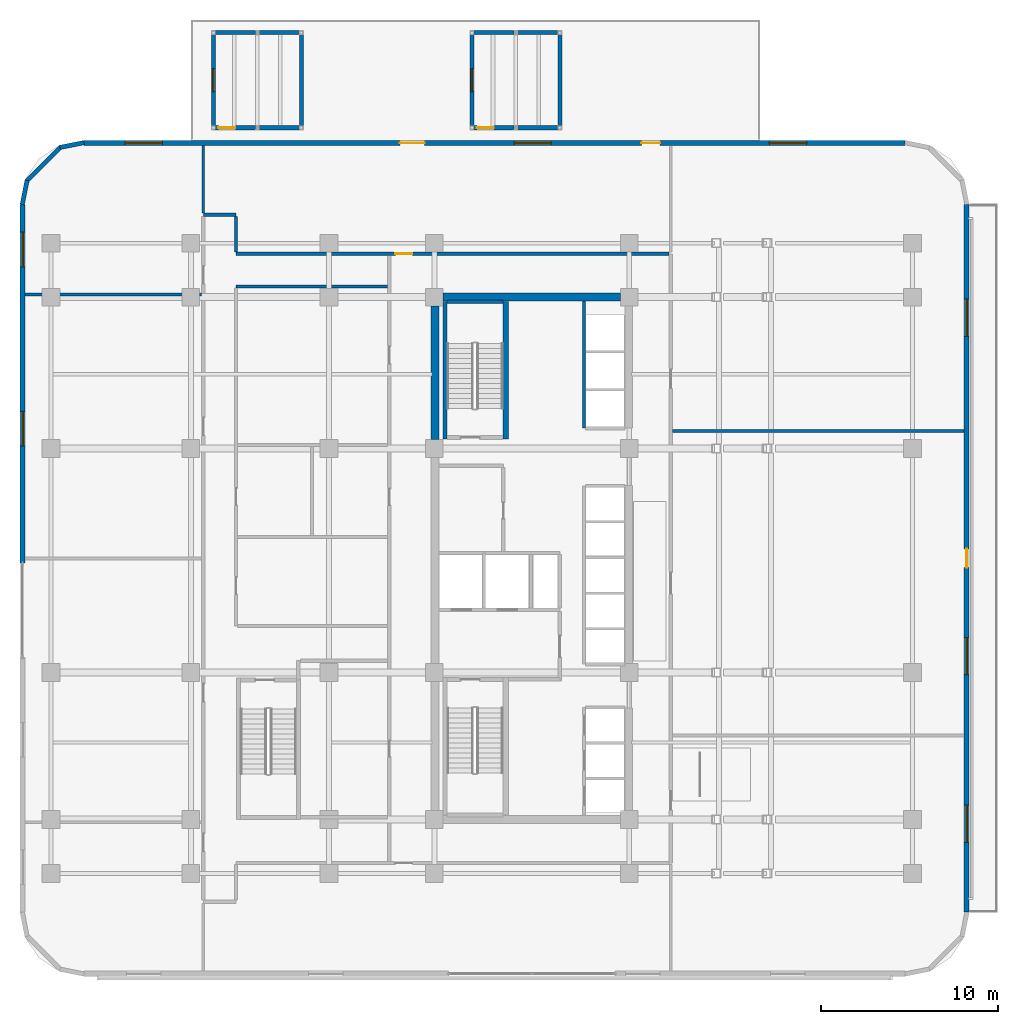
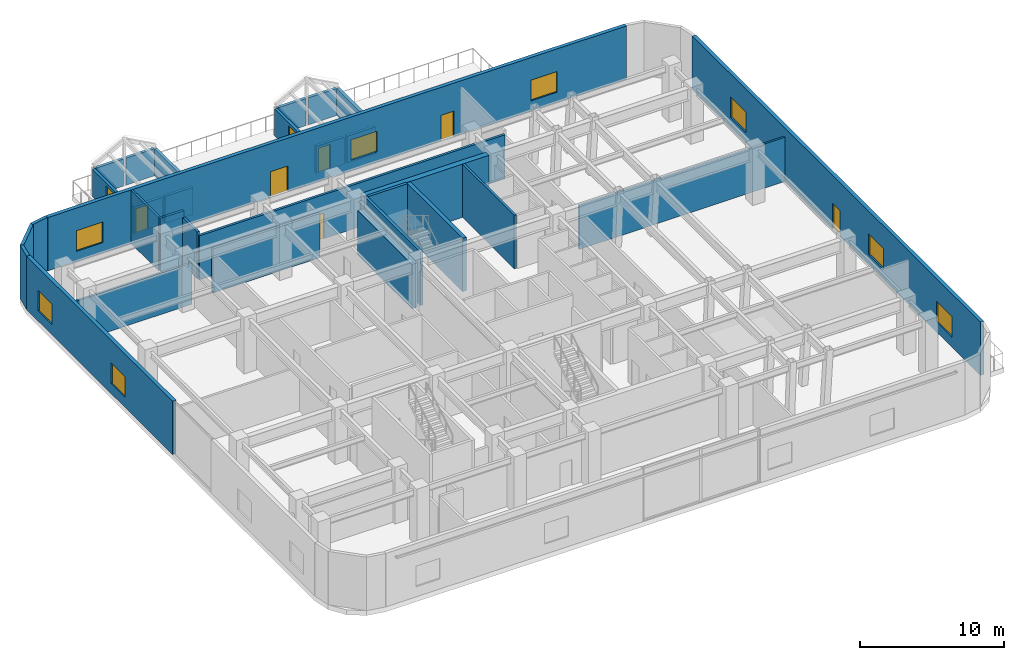
# One storey, part 10 of 18: 31 walls, 10 windows, 6 doors, 16 openings.
"""IFC4 building model written with IfcOpenShell, lengths in metres."""

from ifc_helpers import new_model, si_unit, direction, frame, frame_2d, origin, place, context, subcontext, project, spatial, rectangle, extrude, material, layer, layer_set, type_object, element, fill, save


model = new_model("IFC4")

# Units and contexts
model_context = context("Model", 3, precision=1e-05, world=origin(), true_north=direction((0.0, 1.0)))
body_context = subcontext(model_context, "Body", "Model", "MODEL_VIEW")
ifc_project = project(units=[si_unit("LENGTHUNIT", "METRE"), si_unit("AREAUNIT", "SQUARE_METRE"), si_unit("VOLUMEUNIT", "CUBIC_METRE"), si_unit("PLANEANGLEUNIT", "RADIAN"), si_unit("MASSUNIT", "GRAM", prefix="KILO")], contexts=[model_context])

# Site, building, storey
site_placement = place(None, origin())
site = spatial("IfcSite", under=ifc_project, at=site_placement, CompositionType="ELEMENT")
building_placement = place(site_placement, origin())
building = spatial("IfcBuilding", under=site, at=building_placement, Name="Ochreholt Gables", CompositionType="ELEMENT")
storey_placement = place(building_placement, frame((0.0, 0.0, 4.800048828125)))
storey = spatial("IfcBuildingStorey", under=building, at=storey_placement, Name="L01", CompositionType="ELEMENT", Elevation=4.800048828125)

# Walls
ifc_material_1 = material(Name="Concrete 60 MPa", Category="concrete")
ifc_layer_1 = layer(ifc_material_1, 0.449951171875, Name="Concrete 60 MPa")
ifc_layer_set_1 = layer_set([ifc_layer_1], Name="Concrete 60 MPa")
wall_type_1 = type_object("IfcWallType", Name="WALL-CSW-450", PredefinedType="SHEAR", material=ifc_layer_set_1)
wall_1_placement = place(storey_placement, frame((24.22509765625, 30.699951171875, 0.0), z_axis=(0.0, 0.0, 1.0), x_axis=(0.0, 1.0, 0.0)))
element("IfcWall", 1, at=wall_1_placement, inside=storey, type_object=wall_type_1, Name="L01 Core West Shear Wall WN", PredefinedType="SHEAR", context=body_context, shape_type="SweptSolid", body=[
    extrude(rectangle(XDim=7.550048828125, YDim=0.449951171875, at=frame_2d((3.77490234375, 0.0))), origin(), (0.0, 0.0, 1.0), 3.75),
])
wall_2_placement = place(storey_placement, frame((24.699951171875, 38.75, 0.0), z_axis=(0.0, 0.0, 1.0), x_axis=(1.0, 0.0, 0.0)))
element("IfcWall", 2, at=wall_2_placement, inside=storey, type_object=wall_type_1, Name="L01 Core North Shear Wall", PredefinedType="SHEAR", context=body_context, shape_type="SweptSolid", body=[
    extrude(rectangle(XDim=10.0, YDim=0.449951171875, at=frame_2d((5.0, 0.0))), origin(), (0.0, 0.0, 1.0), 4.52001953125),
])

# Wall, openings, door, windows
ifc_material_2 = material(Name="Precast concrete 40 MPa", Category="concrete")
ifc_layer_2 = layer(ifc_material_2, 0.2900390625, Name="Precast concrete 40 MPa")
ifc_layer_set_2 = layer_set([ifc_layer_2], Name="Precast concrete 40 MPa")
wall_type_2 = type_object("IfcWallType", Name="WALL-EXT-290", PredefinedType="SOLIDWALL", material=ifc_layer_set_2)
wall_3_placement = place(storey_placement, frame((54.2548828125, 4.02001953125, 0.0), z_axis=(0.0, 0.0, 1.0), x_axis=(0.0, 1.0, 0.0)))
wall_3 = element("IfcWall", 3, at=wall_3_placement, inside=storey, type_object=wall_type_2, Name="L01 East Exterior Wall", PredefinedType="SOLIDWALL", context=body_context, shape_type="SweptSolid", body=[
    extrude(rectangle(XDim=39.9599609375, YDim=0.2900390625, at=frame_2d((19.97998046875, 0.0))), origin(), (0.0, 0.0, 1.0), 4.52001953125),
])
opening_1_placement = place(wall_3_placement, frame((19.4599609375, 0.0, 0.0)))
opening_1 = element("IfcOpeningElement", 4, at=opening_1_placement, cuts=wall_3, Name="Opening D-TR1", PredefinedType="OPENING", context=body_context, shape_type="SweptSolid", body=[
    extrude(rectangle(XDim=1.050048828125, YDim=2.14990234375, at=frame_2d((0.52490234375, 1.074951171875))), frame((0.0, 0.155029296875, 0.0), z_axis=(0.0, -1.0, 0.0), x_axis=(1.0, 0.0, 0.0)), (0.0, 0.0, 1.0), 0.31005859375),
])
opening_2_placement = place(wall_3_placement, frame((3.93994140625, 0.0, 0.85009765625)))
opening_2 = element("IfcOpeningElement", 5, at=opening_2_placement, cuts=wall_3, Name="Opening WN-4", PredefinedType="OPENING", context=body_context, shape_type="SweptSolid", body=[
    extrude(rectangle(XDim=2.10009765625, YDim=1.75, at=frame_2d((1.050048828125, 0.875))), frame((0.0, 0.155029296875, 0.0), z_axis=(0.0, -1.0, 0.0), x_axis=(1.0, 0.0, 0.0)), (0.0, 0.0, 1.0), 0.31005859375),
])
opening_3_placement = place(wall_3_placement, frame((13.409912109375, 0.0, 0.85009765625)))
opening_3 = element("IfcOpeningElement", 6, at=opening_3_placement, cuts=wall_3, Name="Opening WN-4", PredefinedType="OPENING", context=body_context, shape_type="SweptSolid", body=[
    extrude(rectangle(XDim=2.10009765625, YDim=1.75, at=frame_2d((1.050048828125, 0.875))), frame((0.0, 0.155029296875, 0.0), z_axis=(0.0, -1.0, 0.0), x_axis=(1.0, 0.0, 0.0)), (0.0, 0.0, 1.0), 0.31005859375),
])
opening_4_placement = place(wall_3_placement, frame((32.52001953125, 0.0, 0.85009765625)))
opening_4 = element("IfcOpeningElement", 7, at=opening_4_placement, cuts=wall_3, Name="Opening WN-4", PredefinedType="OPENING", context=body_context, shape_type="SweptSolid", body=[
    extrude(rectangle(XDim=2.10009765625, YDim=1.75, at=frame_2d((1.050048828125, 0.875))), frame((0.0, 0.155029296875, 0.0), z_axis=(0.0, -1.0, 0.0), x_axis=(1.0, 0.0, 0.0)), (0.0, 0.0, 1.0), 0.31005859375),
])
ifc_material_3 = material(Name="Thermally Broken Insulated Steel and Glass Door", Category="steel")
door_type_1 = type_object("IfcDoorType", Name="DR-EXT-TER1050", OperationType="NOTDEFINED", PredefinedType="DOOR", material=ifc_material_3)
door_1_placement = place(opening_1_placement, origin())
door_1 = element("IfcDoor", 8, at=door_1_placement, inside=storey, type_object=door_type_1, Name="L01 Outdoor Terrace Access Door TR-L01-E", OperationType="SINGLE_SWING_RIGHT", OverallHeight=2.14990234375, OverallWidth=1.050048828125, PredefinedType="DOOR", context=body_context, shape_type="SweptSolid", body=[
    extrude(rectangle(XDim=1.050048828125, YDim=2.14990234375, at=frame_2d((0.52490234375, 1.074951171875))), frame((0.0, 0.02490234375, 0.0), z_axis=(0.0, -1.0, 0.0), x_axis=(1.0, 0.0, 0.0)), (0.0, 0.0, 1.0), 0.050048828125),
])
fill(opening_1, door_1)
ifc_material_4 = material(Name="Triple-Glazed Thermally Broken Aluminium Window", Category="aluminium")
window_type_1 = type_object("IfcWindowType", Name="WIN-CLN-2100", PartitioningType="SINGLE_PANEL", PredefinedType="WINDOW", material=ifc_material_4)
window_1_placement = place(opening_2_placement, origin())
window_1 = element("IfcWindow", 9, at=window_1_placement, inside=storey, type_object=window_type_1, Name="L01 Window W-EXT-E-L01-1", OverallHeight=1.75, OverallWidth=2.10009765625, PartitioningType="SINGLE_PANEL", PredefinedType="WINDOW", context=body_context, shape_type="SweptSolid", body=[
    extrude(rectangle(XDim=2.10009765625, YDim=1.75, at=frame_2d((1.050048828125, 0.875))), frame((0.0, 0.030029296875, 0.0), z_axis=(0.0, -1.0, 0.0), x_axis=(1.0, 0.0, 0.0)), (0.0, 0.0, 1.0), 0.06005859375),
])
fill(opening_2, window_1)
window_2_placement = place(opening_3_placement, origin())
window_2 = element("IfcWindow", 10, at=window_2_placement, inside=storey, type_object=window_type_1, Name="L01 Window W-EXT-E-L01-2", OverallHeight=1.75, OverallWidth=2.10009765625, PartitioningType="SINGLE_PANEL", PredefinedType="WINDOW", context=body_context, shape_type="SweptSolid", body=[
    extrude(rectangle(XDim=2.10009765625, YDim=1.75, at=frame_2d((1.050048828125, 0.875))), frame((0.0, 0.030029296875, 0.0), z_axis=(0.0, -1.0, 0.0), x_axis=(1.0, 0.0, 0.0)), (0.0, 0.0, 1.0), 0.06005859375),
])
fill(opening_3, window_2)
window_3_placement = place(opening_4_placement, origin())
window_3 = element("IfcWindow", 11, at=window_3_placement, inside=storey, type_object=window_type_1, Name="L01 Window W-EXT-E-L01-3", OverallHeight=1.75, OverallWidth=2.10009765625, PartitioningType="SINGLE_PANEL", PredefinedType="WINDOW", context=body_context, shape_type="SweptSolid", body=[
    extrude(rectangle(XDim=2.10009765625, YDim=1.75, at=frame_2d((1.050048828125, 0.875))), frame((0.0, 0.030029296875, 0.0), z_axis=(0.0, -1.0, 0.0), x_axis=(1.0, 0.0, 0.0)), (0.0, 0.0, 1.0), 0.06005859375),
])
fill(opening_4, window_3)

# Wall, openings, doors, windows
wall_4_placement = place(storey_placement, frame((50.780029296875, 47.455078125, 0.0), z_axis=(0.0, 0.0, 1.0), x_axis=(-1.0, 0.0, 0.0)))
wall_4 = element("IfcWall", 12, at=wall_4_placement, inside=storey, type_object=wall_type_2, Name="L01 North Exterior Wall", PredefinedType="SOLIDWALL", context=body_context, shape_type="SweptSolid", body=[
    extrude(rectangle(XDim=46.360107421875, YDim=0.2900390625, at=frame_2d((23.18017578125, 0.0))), origin(), (0.0, 0.0, 1.0), 4.52001953125),
])
opening_5_placement = place(wall_4_placement, frame((13.8349609375, 0.0, 0.0)))
opening_5 = element("IfcOpeningElement", 13, at=opening_5_placement, cuts=wall_4, Name="Opening D-TR1", PredefinedType="OPENING", context=body_context, shape_type="SweptSolid", body=[
    extrude(rectangle(XDim=1.050048828125, YDim=2.14990234375, at=frame_2d((0.52490234375, 1.074951171875))), frame((0.0, 0.155029296875, 0.0), z_axis=(0.0, -1.0, 0.0), x_axis=(1.0, 0.0, 0.0)), (0.0, 0.0, 1.0), 0.31005859375),
])
opening_6_placement = place(wall_4_placement, frame((27.1298828125, 0.0, 0.0)))
opening_6 = element("IfcOpeningElement", 14, at=opening_6_placement, cuts=wall_4, Name="Opening GT-3", PredefinedType="OPENING", context=body_context, shape_type="SweptSolid", body=[
    extrude(rectangle(XDim=1.39990234375, YDim=2.14990234375, at=frame_2d((0.699951171875, 1.074951171875))), frame((0.0, 0.155029296875, 0.0), z_axis=(0.0, -1.0, 0.0), x_axis=(1.0, 0.0, 0.0)), (0.0, 0.0, 1.0), 0.31005859375),
])
opening_7_placement = place(wall_4_placement, frame((41.945068359375, 0.0, 0.85009765625)))
opening_7 = element("IfcOpeningElement", 15, at=opening_7_placement, cuts=wall_4, Name="Opening WN-4", PredefinedType="OPENING", context=body_context, shape_type="SweptSolid", body=[
    extrude(rectangle(XDim=2.10009765625, YDim=1.75, at=frame_2d((1.050048828125, 0.875))), frame((0.0, 0.155029296875, 0.0), z_axis=(0.0, -1.0, 0.0), x_axis=(1.0, 0.0, 0.0)), (0.0, 0.0, 1.0), 0.31005859375),
])
opening_8_placement = place(wall_4_placement, frame((19.982421875, 0.0, 0.85009765625)))
opening_8 = element("IfcOpeningElement", 16, at=opening_8_placement, cuts=wall_4, Name="Opening WN-4", PredefinedType="OPENING", context=body_context, shape_type="SweptSolid", body=[
    extrude(rectangle(XDim=2.10009765625, YDim=1.75, at=frame_2d((1.050048828125, 0.875))), frame((0.0, 0.155029296875, 0.0), z_axis=(0.0, -1.0, 0.0), x_axis=(1.0, 0.0, 0.0)), (0.0, 0.0, 1.0), 0.31005859375),
])
opening_9_placement = place(wall_4_placement, frame((5.56494140625, 0.0, 0.85009765625)))
opening_9 = element("IfcOpeningElement", 17, at=opening_9_placement, cuts=wall_4, Name="Opening WN-4", PredefinedType="OPENING", context=body_context, shape_type="SweptSolid", body=[
    extrude(rectangle(XDim=2.10009765625, YDim=1.75, at=frame_2d((1.050048828125, 0.875))), frame((0.0, 0.155029296875, 0.0), z_axis=(0.0, -1.0, 0.0), x_axis=(1.0, 0.0, 0.0)), (0.0, 0.0, 1.0), 0.31005859375),
])
door_2_placement = place(opening_5_placement, origin())
door_2 = element("IfcDoor", 18, at=door_2_placement, inside=storey, type_object=door_type_1, Name="L01 Outdoor Terrace Access Door TR-L01-N", OperationType="SINGLE_SWING_LEFT", OverallHeight=2.14990234375, OverallWidth=1.050048828125, PredefinedType="DOOR", context=body_context, shape_type="SweptSolid", body=[
    extrude(rectangle(XDim=1.050048828125, YDim=2.14990234375, at=frame_2d((0.52490234375, 1.074951171875))), frame((0.0, 0.02490234375, 0.0), z_axis=(0.0, -1.0, 0.0), x_axis=(1.0, 0.0, 0.0)), (0.0, 0.0, 1.0), 0.050048828125),
])
fill(opening_5, door_2)
door_type_2 = type_object("IfcDoorType", Name="GT-EXT-TER1400", OperationType="NOTDEFINED", PredefinedType="GATE", material=ifc_material_3)
door_3_placement = place(opening_6_placement, origin())
door_3 = element("IfcDoor", 19, at=door_3_placement, inside=storey, type_object=door_type_2, Name="L01 Garden Terrace Service Gate TR-L01-N", OperationType="SINGLE_SWING_LEFT", OverallHeight=2.14990234375, OverallWidth=1.39990234375, PredefinedType="GATE", context=body_context, shape_type="SweptSolid", body=[
    extrude(rectangle(XDim=1.39990234375, YDim=2.14990234375, at=frame_2d((0.699951171875, 1.074951171875))), frame((0.0, 0.02490234375, 0.0), z_axis=(0.0, -1.0, 0.0), x_axis=(1.0, 0.0, 0.0)), (0.0, 0.0, 1.0), 0.050048828125),
])
fill(opening_6, door_3)
window_4_placement = place(opening_7_placement, origin())
window_4 = element("IfcWindow", 20, at=window_4_placement, inside=storey, type_object=window_type_1, Name="L01 Window W-EXT-N-L01-1", OverallHeight=1.75, OverallWidth=2.10009765625, PartitioningType="SINGLE_PANEL", PredefinedType="WINDOW", context=body_context, shape_type="SweptSolid", body=[
    extrude(rectangle(XDim=2.10009765625, YDim=1.75, at=frame_2d((1.050048828125, 0.875))), frame((0.0, 0.030029296875, 0.0), z_axis=(0.0, -1.0, 0.0), x_axis=(1.0, 0.0, 0.0)), (0.0, 0.0, 1.0), 0.06005859375),
])
fill(opening_7, window_4)
window_5_placement = place(opening_8_placement, origin())
window_5 = element("IfcWindow", 21, at=window_5_placement, inside=storey, type_object=window_type_1, Name="L01 Window W-EXT-N-L01-2", OverallHeight=1.75, OverallWidth=2.10009765625, PartitioningType="SINGLE_PANEL", PredefinedType="WINDOW", context=body_context, shape_type="SweptSolid", body=[
    extrude(rectangle(XDim=2.10009765625, YDim=1.75, at=frame_2d((1.050048828125, 0.875))), frame((0.0, 0.030029296875, 0.0), z_axis=(0.0, -1.0, 0.0), x_axis=(1.0, 0.0, 0.0)), (0.0, 0.0, 1.0), 0.06005859375),
])
fill(opening_8, window_5)
window_6_placement = place(opening_9_placement, origin())
window_6 = element("IfcWindow", 22, at=window_6_placement, inside=storey, type_object=window_type_1, Name="L01 Window W-EXT-N-L01-3", OverallHeight=1.75, OverallWidth=2.10009765625, PartitioningType="SINGLE_PANEL", PredefinedType="WINDOW", context=body_context, shape_type="SweptSolid", body=[
    extrude(rectangle(XDim=2.10009765625, YDim=1.75, at=frame_2d((1.050048828125, 0.875))), frame((0.0, 0.030029296875, 0.0), z_axis=(0.0, -1.0, 0.0), x_axis=(1.0, 0.0, 0.0)), (0.0, 0.0, 1.0), 0.06005859375),
])
fill(opening_9, window_6)

# Wall, openings, windows
wall_5_placement = place(storey_placement, frame((0.945068359375, 43.97998046875, 0.0), z_axis=(0.0, 0.0, 1.0), x_axis=(0.0, -1.0, 0.0)))
wall_5 = element("IfcWall", 23, at=wall_5_placement, inside=storey, type_object=wall_type_2, Name="L01 West Facade Wall 1", PredefinedType="SOLIDWALL", context=body_context, shape_type="SweptSolid", body=[
    extrude(rectangle(XDim=20.22998046875, YDim=0.2900390625, at=frame_2d((10.114990234375, 0.0))), origin(), (0.0, 0.0, 1.0), 4.52001953125),
])
opening_10_placement = place(wall_5_placement, frame((11.679931640625, 0.0, 0.85009765625)))
opening_10 = element("IfcOpeningElement", 24, at=opening_10_placement, cuts=wall_5, Name="Opening WN-9", PredefinedType="OPENING", context=body_context, shape_type="SweptSolid", body=[
    extrude(rectangle(XDim=1.949951171875, YDim=1.75, at=frame_2d((0.97509765625, 0.875))), frame((0.0, 0.155029296875, 0.0), z_axis=(0.0, -1.0, 0.0), x_axis=(1.0, 0.0, 0.0)), (0.0, 0.0, 1.0), 0.31005859375),
])
opening_11_placement = place(wall_5_placement, frame((1.56494140625, 0.0, 0.85009765625)))
opening_11 = element("IfcOpeningElement", 25, at=opening_11_placement, cuts=wall_5, Name="Opening WN-9", PredefinedType="OPENING", context=body_context, shape_type="SweptSolid", body=[
    extrude(rectangle(XDim=1.949951171875, YDim=1.75, at=frame_2d((0.97509765625, 0.875))), frame((0.0, 0.155029296875, 0.0), z_axis=(0.0, -1.0, 0.0), x_axis=(1.0, 0.0, 0.0)), (0.0, 0.0, 1.0), 0.31005859375),
])
window_type_2 = type_object("IfcWindowType", Name="WIN-CLN-1950", PartitioningType="SINGLE_PANEL", PredefinedType="WINDOW", material=ifc_material_4)
window_7_placement = place(opening_10_placement, origin())
window_7 = element("IfcWindow", 26, at=window_7_placement, inside=storey, type_object=window_type_2, Name="L01 Window W-EXT-W1-L01-1", OverallHeight=1.75, OverallWidth=1.949951171875, PartitioningType="SINGLE_PANEL", PredefinedType="WINDOW", context=body_context, shape_type="SweptSolid", body=[
    extrude(rectangle(XDim=1.949951171875, YDim=1.75, at=frame_2d((0.97509765625, 0.875))), frame((0.0, 0.030029296875, 0.0), z_axis=(0.0, -1.0, 0.0), x_axis=(1.0, 0.0, 0.0)), (0.0, 0.0, 1.0), 0.06005859375),
])
fill(opening_10, window_7)
window_8_placement = place(opening_11_placement, origin())
window_8 = element("IfcWindow", 27, at=window_8_placement, inside=storey, type_object=window_type_2, Name="L01 Window W-EXT-W1-L01-2", OverallHeight=1.75, OverallWidth=1.949951171875, PartitioningType="SINGLE_PANEL", PredefinedType="WINDOW", context=body_context, shape_type="SweptSolid", body=[
    extrude(rectangle(XDim=1.949951171875, YDim=1.75, at=frame_2d((0.97509765625, 0.875))), frame((0.0, 0.030029296875, 0.0), z_axis=(0.0, -1.0, 0.0), x_axis=(1.0, 0.0, 0.0)), (0.0, 0.0, 1.0), 0.06005859375),
])
fill(opening_11, window_8)

# Walls
ifc_layer_3 = layer(ifc_material_2, 0.25, Name="Precast concrete 40 MPa")
ifc_layer_set_3 = layer_set([ifc_layer_3], Name="Precast concrete 40 MPa")
wall_type_3 = type_object("IfcWallType", Name="WALL-EXT-CNR", PredefinedType="SOLIDWALL", material=ifc_layer_set_3)
wall_6_placement = place(storey_placement, frame((4.41650390625, 47.475830078125, 0.0), z_axis=(0.0, 0.0, 1.0), x_axis=(-0.980809899341, -0.19496651342, 0.0)))
element("IfcWall", 28, at=wall_6_placement, inside=storey, type_object=wall_type_3, Name="L01 Rounded Corner Wall NW-1", PredefinedType="SOLIDWALL", context=body_context, shape_type="SweptSolid", body=[
    extrude(rectangle(XDim=1.388671875, YDim=0.25, at=frame_2d((0.6943359375, 0.0))), origin(), (0.0, 0.0, 1.0), 4.52001953125),
])
wall_7_placement = place(storey_placement, frame((3.10498046875, 47.23193359375, 0.0), z_axis=(0.0, 0.0, 1.0), x_axis=(-0.707106781187, -0.707106781187, 0.0)))
element("IfcWall", 29, at=wall_7_placement, inside=storey, type_object=wall_type_3, Name="L01 Rounded Corner Wall NW-2", PredefinedType="SOLIDWALL", context=body_context, shape_type="SweptSolid", body=[
    extrude(rectangle(XDim=2.7392578125, YDim=0.25, at=frame_2d((1.36962890625, 0.0))), origin(), (0.0, 0.0, 1.0), 4.52001953125),
])
wall_8_placement = place(storey_placement, frame((1.195068359375, 45.345458984375, 0.0), z_axis=(0.0, 0.0, 1.0), x_axis=(-0.19496651342, -0.980809899341, 0.0)))
element("IfcWall", 30, at=wall_8_placement, inside=storey, type_object=wall_type_3, Name="L01 Rounded Corner Wall NW-3", PredefinedType="SOLIDWALL", context=body_context, shape_type="SweptSolid", body=[
    extrude(rectangle(XDim=1.388671875, YDim=0.25, at=frame_2d((0.6943359375, 0.0))), origin(), (0.0, 0.0, 1.0), 4.52001953125),
])

# Wall, opening, door
ifc_layer_4 = layer(ifc_material_2, 0.22998046875, Name="Precast concrete 40 MPa")
ifc_layer_set_4 = layer_set([ifc_layer_4], Name="Precast concrete 40 MPa")
wall_type_4 = type_object("IfcWallType", Name="WALL-EXT-GAB", PredefinedType="SOLIDWALL", material=ifc_layer_set_4)
wall_9_placement = place(storey_placement, frame((11.822021484375, 48.31494140625, 0.0), z_axis=(0.0, 0.0, 1.0), x_axis=(1.0, 0.0, 0.0)))
wall_9 = element("IfcWall", 31, at=wall_9_placement, inside=storey, type_object=wall_type_4, Name="L01 Gable End Wall GB-01N1-S1", PredefinedType="SOLIDWALL", context=body_context, shape_type="SweptSolid", body=[
    extrude(rectangle(XDim=2.27587890625, YDim=0.22998046875, at=frame_2d((1.137939453125, 0.0))), origin(), (0.0, 0.0, 1.0), 2.287109375),
])
opening_12_placement = place(wall_9_placement, frame((0.179931640625, 0.0, 0.0)))
opening_12 = element("IfcOpeningElement", 32, at=opening_12_placement, cuts=wall_9, Name="Opening D-GB1", PredefinedType="OPENING", context=body_context, shape_type="SweptSolid", body=[
    extrude(rectangle(XDim=0.9599609375, YDim=2.080078125, at=frame_2d((0.47998046875, 1.0400390625))), frame((0.0, 0.125, 0.0), z_axis=(0.0, -1.0, 0.0), x_axis=(1.0, 0.0, 0.0)), (0.0, 0.0, 1.0), 0.25),
])
door_type_3 = type_object("IfcDoorType", Name="DR-EXT-GAB960", OperationType="NOTDEFINED", PredefinedType="DOOR", material=ifc_material_3)
door_4_placement = place(opening_12_placement, origin())
door_4 = element("IfcDoor", 33, at=door_4_placement, inside=storey, type_object=door_type_3, Name="L01 Gable Pavilion Door GB-01N1", OperationType="SINGLE_SWING_LEFT", OverallHeight=2.080078125, OverallWidth=0.9599609375, PredefinedType="DOOR", context=body_context, shape_type="SweptSolid", body=[
    extrude(rectangle(XDim=0.9599609375, YDim=2.080078125, at=frame_2d((0.47998046875, 1.0400390625))), frame((0.0, 0.02490234375, 0.0), z_axis=(0.0, -1.0, 0.0), x_axis=(1.0, 0.0, 0.0)), (0.0, 0.0, 1.0), 0.050048828125),
])
fill(opening_12, door_4)

# Walls
for number, where, z_axis, x_axis, name in (
    (34, (14.302001953125, 48.31494140625, 0.0), (0.0, 0.0, 1.0), (1.0, 0.0, 0.0), "L01 Gable End Wall GB-01N1-S2"),
    (35, (11.822021484375, 53.68505859375, 0.0), (0.0, 0.0, 1.0), (1.0, 0.0, 0.0), "L01 Gable End Wall GB-01N1-N1"),
    (36, (14.302001953125, 53.68505859375, 0.0), (0.0, 0.0, 1.0), (1.0, 0.0, 0.0), "L01 Gable End Wall GB-01N1-N2"),
):
    element("IfcWall", number, at=place(storey_placement, frame(where, z_axis=z_axis, x_axis=x_axis)), inside=storey, type_object=wall_type_4, Name=name, PredefinedType="SOLIDWALL", context=body_context, shape_type="SweptSolid", body=[
        extrude(rectangle(XDim=2.27587890625, YDim=0.22998046875, at=frame_2d((1.137939453125, 0.0))), origin(), (0.0, 0.0, 1.0), 2.287109375),
    ])

# Wall, opening, window
wall_10_placement = place(storey_placement, frame((11.715087890625, 48.422119140625, 0.0), z_axis=(0.0, 0.0, 1.0), x_axis=(0.0, 1.0, 0.0)))
wall_10 = element("IfcWall", 37, at=wall_10_placement, inside=storey, type_object=wall_type_4, Name="L01 Gable Eave Wall GB-01N1-W", PredefinedType="SOLIDWALL", context=body_context, shape_type="SweptSolid", body=[
    extrude(rectangle(XDim=5.15576171875, YDim=0.22998046875, at=frame_2d((2.577880859375, 0.0))), origin(), (0.0, 0.0, 1.0), 2.287109375),
])
opening_13_placement = place(wall_10_placement, frame((1.927978515625, 0.0, 0.780029296875)))
opening_13 = element("IfcOpeningElement", 38, at=opening_13_placement, cuts=wall_10, Name="Opening WN-6", PredefinedType="OPENING", context=body_context, shape_type="SweptSolid", body=[
    extrude(rectangle(XDim=1.300048828125, YDim=1.25, at=frame_2d((0.64990234375, 0.625))), frame((0.0, 0.125, 0.0), z_axis=(0.0, -1.0, 0.0), x_axis=(1.0, 0.0, 0.0)), (0.0, 0.0, 1.0), 0.25),
])
window_type_3 = type_object("IfcWindowType", Name="WIN-GAB-1300", PartitioningType="SINGLE_PANEL", PredefinedType="WINDOW", material=ifc_material_4)
window_9_placement = place(opening_13_placement, origin())
window_9 = element("IfcWindow", 39, at=window_9_placement, inside=storey, type_object=window_type_3, Name="L01 Gable Pavilion Window GB-01N1", OverallHeight=1.25, OverallWidth=1.300048828125, PartitioningType="SINGLE_PANEL", PredefinedType="WINDOW", context=body_context, shape_type="SweptSolid", body=[
    extrude(rectangle(XDim=1.300048828125, YDim=1.25, at=frame_2d((0.64990234375, 0.625))), frame((0.0, 0.030029296875, 0.0), z_axis=(0.0, -1.0, 0.0), x_axis=(1.0, 0.0, 0.0)), (0.0, 0.0, 1.0), 0.06005859375),
])
fill(opening_13, window_9)

# Wall
wall_11_placement = place(storey_placement, frame((16.68505859375, 48.422119140625, 0.0), z_axis=(0.0, 0.0, 1.0), x_axis=(0.0, 1.0, 0.0)))
element("IfcWall", 40, at=wall_11_placement, inside=storey, type_object=wall_type_4, Name="L01 Gable Eave Wall GB-01N1-E", PredefinedType="SOLIDWALL", context=body_context, shape_type="SweptSolid", body=[
    extrude(rectangle(XDim=5.15576171875, YDim=0.22998046875, at=frame_2d((2.577880859375, 0.0))), origin(), (0.0, 0.0, 1.0), 2.287109375),
])

# Wall, opening, door
wall_12_placement = place(storey_placement, frame((26.422119140625, 48.31494140625, 0.0), z_axis=(0.0, 0.0, 1.0), x_axis=(1.0, 0.0, 0.0)))
wall_12 = element("IfcWall", 41, at=wall_12_placement, inside=storey, type_object=wall_type_4, Name="L01 Gable End Wall GB-01N2-S1", PredefinedType="SOLIDWALL", context=body_context, shape_type="SweptSolid", body=[
    extrude(rectangle(XDim=2.27587890625, YDim=0.22998046875, at=frame_2d((1.137939453125, 0.0))), origin(), (0.0, 0.0, 1.0), 2.287109375),
])
opening_14_placement = place(wall_12_placement, frame((0.179931640625, 0.0, 0.0)))
opening_14 = element("IfcOpeningElement", 42, at=opening_14_placement, cuts=wall_12, Name="Opening D-GB1", PredefinedType="OPENING", context=body_context, shape_type="SweptSolid", body=[
    extrude(rectangle(XDim=0.9599609375, YDim=2.080078125, at=frame_2d((0.47998046875, 1.0400390625))), frame((0.0, 0.125, 0.0), z_axis=(0.0, -1.0, 0.0), x_axis=(1.0, 0.0, 0.0)), (0.0, 0.0, 1.0), 0.25),
])
door_5_placement = place(opening_14_placement, origin())
door_5 = element("IfcDoor", 43, at=door_5_placement, inside=storey, type_object=door_type_3, Name="L01 Gable Pavilion Door GB-01N2", OperationType="SINGLE_SWING_LEFT", OverallHeight=2.080078125, OverallWidth=0.9599609375, PredefinedType="DOOR", context=body_context, shape_type="SweptSolid", body=[
    extrude(rectangle(XDim=0.9599609375, YDim=2.080078125, at=frame_2d((0.47998046875, 1.0400390625))), frame((0.0, 0.02490234375, 0.0), z_axis=(0.0, -1.0, 0.0), x_axis=(1.0, 0.0, 0.0)), (0.0, 0.0, 1.0), 0.050048828125),
])
fill(opening_14, door_5)

# Walls
for number, where, z_axis, x_axis, name in (
    (44, (28.902099609375, 48.31494140625, 0.0), (0.0, 0.0, 1.0), (1.0, 0.0, 0.0), "L01 Gable End Wall GB-01N2-S2"),
    (45, (26.422119140625, 53.68505859375, 0.0), (0.0, 0.0, 1.0), (1.0, 0.0, 0.0), "L01 Gable End Wall GB-01N2-N1"),
    (46, (28.902099609375, 53.68505859375, 0.0), (0.0, 0.0, 1.0), (1.0, 0.0, 0.0), "L01 Gable End Wall GB-01N2-N2"),
):
    element("IfcWall", number, at=place(storey_placement, frame(where, z_axis=z_axis, x_axis=x_axis)), inside=storey, type_object=wall_type_4, Name=name, PredefinedType="SOLIDWALL", context=body_context, shape_type="SweptSolid", body=[
        extrude(rectangle(XDim=2.27587890625, YDim=0.22998046875, at=frame_2d((1.137939453125, 0.0))), origin(), (0.0, 0.0, 1.0), 2.287109375),
    ])

# Wall, opening, window
wall_13_placement = place(storey_placement, frame((26.31494140625, 48.422119140625, 0.0), z_axis=(0.0, 0.0, 1.0), x_axis=(0.0, 1.0, 0.0)))
wall_13 = element("IfcWall", 47, at=wall_13_placement, inside=storey, type_object=wall_type_4, Name="L01 Gable Eave Wall GB-01N2-W", PredefinedType="SOLIDWALL", context=body_context, shape_type="SweptSolid", body=[
    extrude(rectangle(XDim=5.15576171875, YDim=0.22998046875, at=frame_2d((2.577880859375, 0.0))), origin(), (0.0, 0.0, 1.0), 2.287109375),
])
opening_15_placement = place(wall_13_placement, frame((1.927978515625, 0.0, 0.780029296875)))
opening_15 = element("IfcOpeningElement", 48, at=opening_15_placement, cuts=wall_13, Name="Opening WN-6", PredefinedType="OPENING", context=body_context, shape_type="SweptSolid", body=[
    extrude(rectangle(XDim=1.300048828125, YDim=1.25, at=frame_2d((0.64990234375, 0.625))), frame((0.0, 0.125, 0.0), z_axis=(0.0, -1.0, 0.0), x_axis=(1.0, 0.0, 0.0)), (0.0, 0.0, 1.0), 0.25),
])
window_10_placement = place(opening_15_placement, origin())
window_10 = element("IfcWindow", 49, at=window_10_placement, inside=storey, type_object=window_type_3, Name="L01 Gable Pavilion Window GB-01N2", OverallHeight=1.25, OverallWidth=1.300048828125, PartitioningType="SINGLE_PANEL", PredefinedType="WINDOW", context=body_context, shape_type="SweptSolid", body=[
    extrude(rectangle(XDim=1.300048828125, YDim=1.25, at=frame_2d((0.64990234375, 0.625))), frame((0.0, 0.030029296875, 0.0), z_axis=(0.0, -1.0, 0.0), x_axis=(1.0, 0.0, 0.0)), (0.0, 0.0, 1.0), 0.06005859375),
])
fill(opening_15, window_10)

# Wall
wall_14_placement = place(storey_placement, frame((31.284912109375, 48.422119140625, 0.0), z_axis=(0.0, 0.0, 1.0), x_axis=(0.0, 1.0, 0.0)))
element("IfcWall", 50, at=wall_14_placement, inside=storey, type_object=wall_type_4, Name="L01 Gable Eave Wall GB-01N2-E", PredefinedType="SOLIDWALL", context=body_context, shape_type="SweptSolid", body=[
    extrude(rectangle(XDim=5.15576171875, YDim=0.22998046875, at=frame_2d((2.577880859375, 0.0))), origin(), (0.0, 0.0, 1.0), 2.287109375),
])

# Wall, opening, door
ifc_material_5 = material(Name="Fire-Rated Gypsum Acoustic Partition", Category="gypsum")
ifc_layer_5 = layer(ifc_material_5, 0.18994140625, Name="Fire-Rated Gypsum Acoustic Partition")
ifc_layer_set_5 = layer_set([ifc_layer_5], Name="Fire-Rated Gypsum Acoustic Partition")
wall_type_5 = type_object("IfcWallType", Name="WALL-INT-CR190", PredefinedType="STANDARD", material=ifc_layer_set_5)
wall_15_placement = place(storey_placement, frame((13.0, 41.199951171875, 0.0), z_axis=(0.0, 0.0, 1.0), x_axis=(1.0, 0.0, 0.0)))
wall_15 = element("IfcWall", 51, at=wall_15_placement, inside=storey, type_object=wall_type_5, Name="L01 Interior Wall WI-CLCN-L01", PredefinedType="STANDARD", context=body_context, shape_type="SweptSolid", body=[
    extrude(rectangle(XDim=24.455078125, YDim=0.18994140625, at=frame_2d((12.2275390625, 0.0))), origin(), (0.0, 0.0, 1.0), 3.73193359375),
])
opening_16_placement = place(wall_15_placement, frame((9.0, 0.0, 0.0)))
opening_16 = element("IfcOpeningElement", 52, at=opening_16_placement, cuts=wall_15, Name="Opening D-GN1", PredefinedType="OPENING", context=body_context, shape_type="SweptSolid", body=[
    extrude(rectangle(XDim=0.949951171875, YDim=2.14990234375, at=frame_2d((0.47509765625, 1.074951171875))), frame((0.0, 0.10498046875, 0.0), z_axis=(0.0, -1.0, 0.0), x_axis=(1.0, 0.0, 0.0)), (0.0, 0.0, 1.0), 0.2099609375),
])
ifc_material_6 = material(Name="Engineered Oak Timber", Category="wood")
door_type_4 = type_object("IfcDoorType", Name="DR-INT-GEN950", OperationType="NOTDEFINED", PredefinedType="DOOR", material=ifc_material_6)
door_6_placement = place(opening_16_placement, origin())
door_6 = element("IfcDoor", 53, at=door_6_placement, inside=storey, type_object=door_type_4, Name="L01 Door D-CLCN-L01", OperationType="SINGLE_SWING_RIGHT", OverallHeight=2.14990234375, OverallWidth=0.949951171875, PredefinedType="DOOR", context=body_context, shape_type="SweptSolid", body=[
    extrude(rectangle(XDim=0.949951171875, YDim=2.14990234375, at=frame_2d((0.47509765625, 1.074951171875))), frame((0.0, 0.02490234375, 0.0), z_axis=(0.0, -1.0, 0.0), x_axis=(1.0, 0.0, 0.0)), (0.0, 0.0, 1.0), 0.050048828125),
])
fill(opening_16, door_6)

# Walls
wall_16_placement = place(storey_placement, frame((11.14990234375, 43.39990234375, 0.0), z_axis=(0.0, 0.0, 1.0), x_axis=(1.0, 0.0, 0.0)))
element("IfcWall", 54, at=wall_16_placement, inside=storey, type_object=wall_type_5, Name="L01 Interior Wall WI-CLCN0-L01", PredefinedType="STANDARD", context=body_context, shape_type="SweptSolid", body=[
    extrude(rectangle(XDim=1.85009765625, YDim=0.18994140625, at=frame_2d((0.925048828125, 0.0))), origin(), (0.0, 0.0, 1.0), 4.52001953125),
])
wall_17_placement = place(storey_placement, frame((13.0, 41.294921875, 0.0), z_axis=(0.0, 0.0, 1.0), x_axis=(0.0, 1.0, 0.0)))
element("IfcWall", 55, at=wall_17_placement, inside=storey, type_object=wall_type_5, Name="L01 Interior Wall WI-CLCN1-L01", PredefinedType="STANDARD", context=body_context, shape_type="SweptSolid", body=[
    extrude(rectangle(XDim=2.010009765625, YDim=0.18994140625, at=frame_2d((1.0048828125, 0.0))), origin(), (0.0, 0.0, 1.0), 3.968994140625),
])
wall_18_placement = place(storey_placement, frame((13.0, 39.35009765625, 0.0), z_axis=(0.0, 0.0, 1.0), x_axis=(1.0, 0.0, 0.0)))
element("IfcWall", 56, at=wall_18_placement, inside=storey, type_object=wall_type_5, Name="L01 Interior Wall WI-CLCN2-L01", PredefinedType="STANDARD", context=body_context, shape_type="SweptSolid", body=[
    extrude(rectangle(XDim=8.554931640625, YDim=0.18994140625, at=frame_2d((4.27734375, 0.0))), origin(), (0.0, 0.0, 1.0), 3.73193359375),
])
ifc_material_7 = material(Name="Gypsum Acoustic Stud Partition", Category="gypsum")
ifc_layer_6 = layer(ifc_material_7, 0.159912109375, Name="Gypsum Acoustic Stud Partition")
ifc_layer_set_6 = layer_set([ifc_layer_6], Name="Gypsum Acoustic Stud Partition")
wall_type_6 = type_object("IfcWallType", Name="WALL-INT-PT160", PredefinedType="PARTITIONING", material=ifc_layer_set_6)
wall_19_placement = place(storey_placement, frame((11.14990234375, 43.4951171875, 0.0), z_axis=(0.0, 0.0, 1.0), x_axis=(0.0, 1.0, 0.0)))
element("IfcWall", 57, at=wall_19_placement, inside=storey, type_object=wall_type_6, Name="L01 Interior Wall WI-CLWWN-L01", PredefinedType="PARTITIONING", context=body_context, shape_type="SweptSolid", body=[
    extrude(rectangle(XDim=3.81494140625, YDim=0.159912109375, at=frame_2d((1.907470703125, 0.0))), origin(), (0.0, 0.0, 1.0), 4.52001953125),
])
wall_20_placement = place(storey_placement, frame((37.64501953125, 31.199951171875, 0.0), z_axis=(0.0, 0.0, 1.0), x_axis=(1.0, 0.0, 0.0)))
element("IfcWall", 58, at=wall_20_placement, inside=storey, type_object=wall_type_6, Name="L01 Interior Wall WI-CLE2-L01", PredefinedType="PARTITIONING", context=body_context, shape_type="SweptSolid", body=[
    extrude(rectangle(XDim=16.465087890625, YDim=0.159912109375, at=frame_2d((8.232421875, 0.0))), origin(), (0.0, 0.0, 1.0), 3.73193359375),
])
wall_21_placement = place(storey_placement, frame((1.090087890625, 38.89990234375, 0.0), z_axis=(0.0, 0.0, 1.0), x_axis=(1.0, 0.0, 0.0)))
element("IfcWall", 59, at=wall_21_placement, inside=storey, type_object=wall_type_6, Name="L01 Interior Wall WI-CLW3-L01", PredefinedType="PARTITIONING", context=body_context, shape_type="SweptSolid", body=[
    extrude(rectangle(XDim=9.96484375, YDim=0.159912109375, at=frame_2d((4.982421875, 0.0))), origin(), (0.0, 0.0, 1.0), 3.501953125),
])
ifc_material_8 = material(Name="Gypsum Shaftliner and Steel Stud", Category="steel")
ifc_layer_7 = layer(ifc_material_8, 0.179931640625, Name="Gypsum Shaftliner and Steel Stud")
ifc_layer_set_7 = layer_set([ifc_layer_7], Name="Gypsum Shaftliner and Steel Stud")
wall_type_7 = type_object("IfcWallType", Name="WALL-INT-SH180", PredefinedType="STANDARD", material=ifc_layer_set_7)
wall_22_placement = place(storey_placement, frame((32.64990234375, 31.35009765625, 0.0), z_axis=(0.0, 0.0, 1.0), x_axis=(0.0, 1.0, 0.0)))
element("IfcWall", 60, at=wall_22_placement, inside=storey, type_object=wall_type_7, Name="L01 Interior Wall WI-LFM-FR-L01", PredefinedType="STANDARD", context=body_context, shape_type="SweptSolid", body=[
    extrude(rectangle(XDim=7.1748046875, YDim=0.179931640625, at=frame_2d((3.58740234375, 0.0))), origin(), (0.0, 0.0, 1.0), 4.52001953125),
])
ifc_layer_8 = layer(ifc_material_1, 0.300048828125, Name="Concrete 60 MPa")
ifc_layer_set_8 = layer_set([ifc_layer_8], Name="Concrete 60 MPa")
wall_type_8 = type_object("IfcWallType", Name="WALL-SPN-300", PredefinedType="SHEAR", material=ifc_layer_set_8)
wall_23_placement = place(storey_placement, frame((28.22998046875, 30.739990234375, 0.0), z_axis=(0.0, 0.0, 1.0), x_axis=(0.0, 1.0, 0.0)))
element("IfcWall", 61, at=wall_23_placement, inside=storey, type_object=wall_type_8, Name="L01 Core North Spine Shear Wall", PredefinedType="SHEAR", context=body_context, shape_type="SweptSolid", body=[
    extrude(rectangle(XDim=7.760009765625, YDim=0.300048828125, at=frame_2d((3.8798828125, 0.0))), origin(), (0.0, 0.0, 1.0), 4.52001953125),
])
ifc_material_9 = material(Name="Concrete 50 MPa", Category="concrete")
ifc_layer_9 = layer(ifc_material_9, 0.219970703125, Name="Concrete 50 MPa")
ifc_layer_set_9 = layer_set([ifc_layer_9], Name="Concrete 50 MPa")
wall_type_9 = type_object("IfcWallType", Name="WALL-STW-220", PredefinedType="SHEAR", material=ifc_layer_set_9)
wall_24_placement = place(storey_placement, frame((24.81005859375, 30.739990234375, 0.0), z_axis=(0.0, 0.0, 1.0), x_axis=(0.0, 1.0, 0.0)))
element("IfcWall", 62, at=wall_24_placement, inside=storey, type_object=wall_type_9, Name="L01 Exit Stair 2 West Wall", PredefinedType="SHEAR", context=body_context, shape_type="SweptSolid", body=[
    extrude(rectangle(XDim=7.760009765625, YDim=0.219970703125, at=frame_2d((3.8798828125, 0.0))), origin(), (0.0, 0.0, 1.0), 4.52001953125),
])
wall_25_placement = place(storey_placement, frame((24.919921875, 38.489990234375, 0.0), z_axis=(0.0, 0.0, 1.0), x_axis=(1.0, 0.0, 0.0)))
element("IfcWall", 63, at=wall_25_placement, inside=storey, type_object=wall_type_9, Name="L01 Exit Stair 2 North Wall", PredefinedType="SHEAR", context=body_context, shape_type="SweptSolid", body=[
    extrude(rectangle(XDim=3.16015625, YDim=0.219970703125, at=frame_2d((1.580078125, 0.0))), origin(), (0.0, 0.0, 1.0), 4.52001953125),
])

save(model, "model.ifc")
